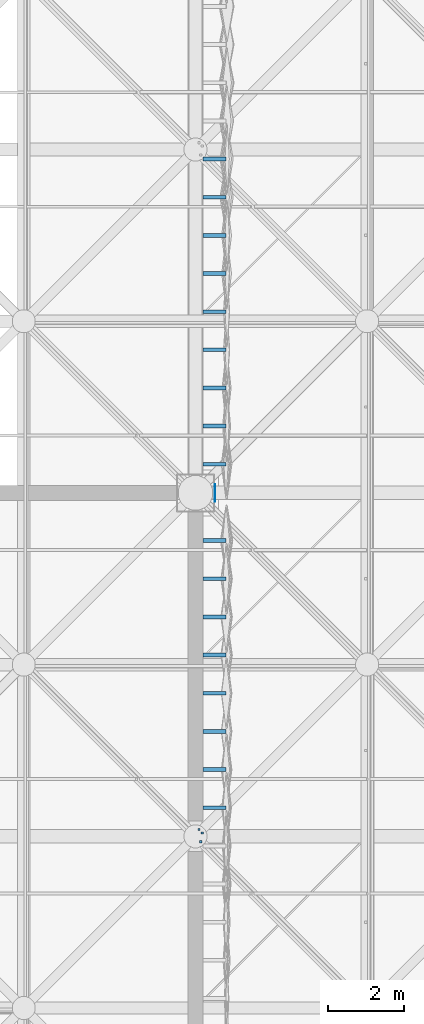
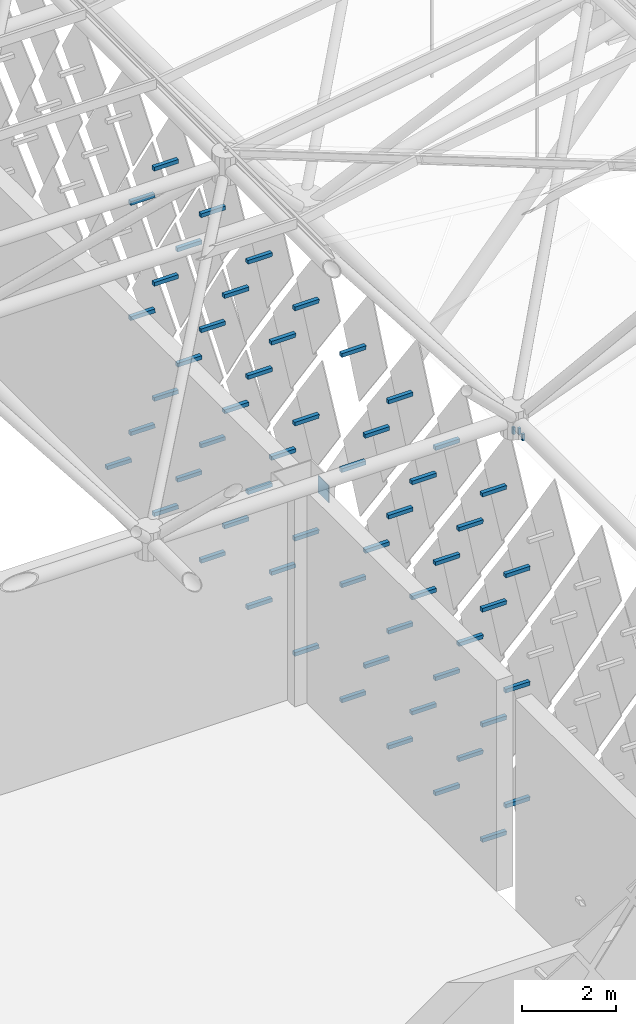
# One storey, part 374 of 437: 61 discrete accessories.
"""IFC4 building model written with IfcOpenShell, lengths in metres."""

from ifc_helpers import new_model, si_unit, direction, frame, origin, place, context, subcontext, project, spatial, polyline, outline, extrude, material, layer, layer_set, type_object, element, save


model = new_model("IFC4")

# Units and contexts
model_context = context("Model", 3, precision=1e-05, world=origin(), true_north=direction((0.0, 1.0)))
body_context = subcontext(model_context, "Body", "Model", "MODEL_VIEW")
ifc_project = project(units=[si_unit("LENGTHUNIT", "METRE"), si_unit("AREAUNIT", "SQUARE_METRE"), si_unit("VOLUMEUNIT", "CUBIC_METRE"), si_unit("PLANEANGLEUNIT", "RADIAN"), si_unit("MASSUNIT", "GRAM", prefix="KILO")], contexts=[model_context])

# Site, building, storey
site_placement = place(None, origin())
site = spatial("IfcSite", under=ifc_project, at=site_placement, CompositionType="ELEMENT")
building_placement = place(site_placement, origin())
building = spatial("IfcBuilding", under=site, at=building_placement, Name="Opaline Strait Convention Centre", CompositionType="ELEMENT")
storey_placement = place(building_placement, frame((0.0, 0.0, 11.5)))
storey = spatial("IfcBuildingStorey", under=building, at=storey_placement, Name="L02", CompositionType="ELEMENT", Elevation=11.5)

# Discrete accessories
ifc_material_1 = material(Name="Structural steel Q355B", Category="steel")
ifc_layer = layer(ifc_material_1, 0.01611328125)
ifc_layer_set = layer_set([ifc_layer], Name="Structural steel Q355B")
discrete_accessory_type_1 = type_object("IfcDiscreteAccessoryType", Name="Prop bearing plate 450 x 450 x 16", PredefinedType="ANCHORPLATE", material=ifc_layer_set)
discrete_accessory_1_placement = place(storey_placement, frame((0.0, 0.0, 4.793701171875)))
element("IfcDiscreteAccessory", 1, at=discrete_accessory_1_placement, inside=storey, type_object=discrete_accessory_type_1, Name="Prop bearing plate 261/72 E", PredefinedType="ANCHORPLATE", context=body_context, shape_type="SweptSolid", body=[
    extrude(outline(polyline([(261.5, 71.77490234375), (261.51611328125, 71.77490234375), (261.51611328125, 72.22509765625), (261.5, 72.22509765625), (261.5, 71.77490234375)])), origin(), (0.0, 0.0, 1.0), 0.449951171875),
])
ifc_material_2 = material(Name="Steel Q355B", Category="steel")
discrete_accessory_type_2 = type_object("IfcDiscreteAccessoryType", Name="Soffit hanger 60x60 steel", PredefinedType="BRACKET", material=ifc_material_2)
discrete_accessory_2_placement = place(storey_placement, frame((0.0, 0.0, 11.967529296875)))
element("IfcDiscreteAccessory", 2, at=discrete_accessory_2_placement, inside=storey, type_object=discrete_accessory_type_2, Name="Soffit hanger", PredefinedType="BRACKET", context=body_context, shape_type="SweptSolid", body=[
    extrude(outline(polyline([(261.111328125, 62.82861328125), (261.17138671875, 62.82861328125), (261.17138671875, 62.888671875), (261.111328125, 62.888671875), (261.111328125, 62.82861328125)])), origin(), (0.0, 0.0, 1.0), 0.17236328125),
])
discrete_accessory_3_placement = place(storey_placement, frame((0.0, 0.0, 11.977294921875)))
element("IfcDiscreteAccessory", 3, at=discrete_accessory_3_placement, inside=storey, type_object=discrete_accessory_type_2, Name="Soffit hanger", PredefinedType="BRACKET", context=body_context, shape_type="SweptSolid", body=[
    extrude(outline(polyline([(261.14892578125, 63.059326171875), (261.208984375, 63.059326171875), (261.208984375, 63.119140625), (261.14892578125, 63.119140625), (261.14892578125, 63.059326171875)])), origin(), (0.0, 0.0, 1.0), 0.16259765625),
])
discrete_accessory_4_placement = place(storey_placement, frame((0.0, 0.0, 11.95849609375)))
element("IfcDiscreteAccessory", 4, at=discrete_accessory_4_placement, inside=storey, type_object=discrete_accessory_type_2, Name="Soffit hanger", PredefinedType="BRACKET", context=body_context, shape_type="SweptSolid", body=[
    extrude(outline(polyline([(261.059326171875, 63.14892578125), (261.119140625, 63.14892578125), (261.119140625, 63.208984375), (261.059326171875, 63.208984375), (261.059326171875, 63.14892578125)])), origin(), (0.0, 0.0, 1.0), 0.181396484375),
])
discrete_accessory_type_3 = type_object("IfcDiscreteAccessoryType", Name="Tile bracket 100x100 steel", PredefinedType="BRACKET", material=ifc_material_2)
discrete_accessory_5_placement = place(storey_placement, frame((261.199951171875, 64.699951171875, 0.39208984375), z_axis=(0.0, 1.0, 0.0), x_axis=(-1.0, 0.0, 0.0)))
element("IfcDiscreteAccessory", 5, at=discrete_accessory_5_placement, inside=storey, type_object=discrete_accessory_type_3, Name="Tile bracket XT09 E", PredefinedType="BRACKET", context=body_context, shape_type="SweptSolid", body=[
    extrude(outline(polyline([(0.0, -0.050048828125), (0.0, 0.050048828125), (-0.60400390625, 0.050048828125), (-0.595947265625, -0.050048828125), (0.0, -0.050048828125)])), origin(), (0.0, 0.0, 1.0), 0.10009765625),
])
discrete_accessory_6_placement = place(storey_placement, frame((261.199951171875, 66.699951171875, 0.39208984375), z_axis=(0.0, 1.0, 0.0), x_axis=(-1.0, 0.0, 0.0)))
element("IfcDiscreteAccessory", 6, at=discrete_accessory_6_placement, inside=storey, type_object=discrete_accessory_type_3, Name="Tile bracket XT08 E", PredefinedType="BRACKET", context=body_context, shape_type="SweptSolid", body=[
    extrude(outline(polyline([(0.0, -0.050048828125), (0.0, 0.050048828125), (-0.603515625, 0.050048828125), (-0.596435546875, -0.050048828125), (0.0, -0.050048828125)])), origin(), (0.0, 0.0, 1.0), 0.10009765625),
])
discrete_accessory_7_placement = place(storey_placement, frame((261.199951171875, 68.699951171875, 0.39208984375), z_axis=(0.0, 1.0, 0.0), x_axis=(-1.0, 0.0, 0.0)))
element("IfcDiscreteAccessory", 7, at=discrete_accessory_7_placement, inside=storey, type_object=discrete_accessory_type_3, Name="Tile bracket XT06 E", PredefinedType="BRACKET", context=body_context, shape_type="SweptSolid", body=[
    extrude(outline(polyline([(0.0, -0.050048828125), (0.0, 0.050048828125), (-0.6025390625, 0.050048828125), (-0.597412109375, -0.050048828125), (0.0, -0.050048828125)])), origin(), (0.0, 0.0, 1.0), 0.10009765625),
])
discrete_accessory_8_placement = place(storey_placement, frame((261.199951171875, 70.699951171875, 0.39208984375), z_axis=(0.0, 1.0, 0.0), x_axis=(-1.0, 0.0, 0.0)))
element("IfcDiscreteAccessory", 8, at=discrete_accessory_8_placement, inside=storey, type_object=discrete_accessory_type_3, Name="Tile bracket XT04 E", PredefinedType="BRACKET", context=body_context, shape_type="SweptSolid", body=[
    extrude(outline(polyline([(0.0, -0.050048828125), (0.0, 0.050048828125), (-0.601806640625, 0.050048828125), (-0.59814453125, -0.050048828125), (0.0, -0.050048828125)])), origin(), (0.0, 0.0, 1.0), 0.10009765625),
])
discrete_accessory_9_placement = place(storey_placement, frame((261.199951171875, 72.699951171875, 0.39208984375), z_axis=(0.0, 1.0, 0.0), x_axis=(-1.0, 0.0, 0.0)))
element("IfcDiscreteAccessory", 9, at=discrete_accessory_9_placement, inside=storey, type_object=discrete_accessory_type_3, Name="Tile bracket XT04 E", PredefinedType="BRACKET", context=body_context, shape_type="SweptSolid", body=[
    extrude(outline(polyline([(0.0, -0.050048828125), (0.0, 0.050048828125), (-0.59814453125, 0.050048828125), (-0.601806640625, -0.050048828125), (0.0, -0.050048828125)])), origin(), (0.0, 0.0, 1.0), 0.10009765625),
])
discrete_accessory_10_placement = place(storey_placement, frame((261.199951171875, 74.699951171875, 0.39208984375), z_axis=(0.0, 1.0, 0.0), x_axis=(-1.0, 0.0, 0.0)))
element("IfcDiscreteAccessory", 10, at=discrete_accessory_10_placement, inside=storey, type_object=discrete_accessory_type_3, Name="Tile bracket XT06 E", PredefinedType="BRACKET", context=body_context, shape_type="SweptSolid", body=[
    extrude(outline(polyline([(0.0, -0.050048828125), (0.0, 0.050048828125), (-0.597412109375, 0.050048828125), (-0.6025390625, -0.050048828125), (0.0, -0.050048828125)])), origin(), (0.0, 0.0, 1.0), 0.10009765625),
])
discrete_accessory_11_placement = place(storey_placement, frame((261.199951171875, 76.699951171875, 0.39208984375), z_axis=(0.0, 1.0, 0.0), x_axis=(-1.0, 0.0, 0.0)))
element("IfcDiscreteAccessory", 11, at=discrete_accessory_11_placement, inside=storey, type_object=discrete_accessory_type_3, Name="Tile bracket XT10 E", PredefinedType="BRACKET", context=body_context, shape_type="SweptSolid", body=[
    extrude(outline(polyline([(0.0, -0.050048828125), (0.0, 0.050048828125), (-0.595703125, 0.050048828125), (-0.604248046875, -0.050048828125), (0.0, -0.050048828125)])), origin(), (0.0, 0.0, 1.0), 0.10009765625),
])
discrete_accessory_12_placement = place(storey_placement, frame((261.199951171875, 78.699951171875, 0.39208984375), z_axis=(0.0, 1.0, 0.0), x_axis=(-1.0, 0.0, 0.0)))
element("IfcDiscreteAccessory", 12, at=discrete_accessory_12_placement, inside=storey, type_object=discrete_accessory_type_3, Name="Tile bracket XT13 E", PredefinedType="BRACKET", context=body_context, shape_type="SweptSolid", body=[
    extrude(outline(polyline([(0.0, -0.050048828125), (0.0, 0.050048828125), (-0.59423828125, 0.050048828125), (-0.605712890625, -0.050048828125), (0.0, -0.050048828125)])), origin(), (0.0, 0.0, 1.0), 0.10009765625),
])
discrete_accessory_13_placement = place(storey_placement, frame((261.199951171875, 80.699951171875, 0.39208984375), z_axis=(0.0, 1.0, 0.0), x_axis=(-1.0, 0.0, 0.0)))
element("IfcDiscreteAccessory", 13, at=discrete_accessory_13_placement, inside=storey, type_object=discrete_accessory_type_3, Name="Tile bracket XT14 E", PredefinedType="BRACKET", context=body_context, shape_type="SweptSolid", body=[
    extrude(outline(polyline([(0.0, -0.050048828125), (0.0, 0.050048828125), (-0.59375, 0.050048828125), (-0.606201171875, -0.050048828125), (0.0, -0.050048828125)])), origin(), (0.0, 0.0, 1.0), 0.10009765625),
])
discrete_accessory_14_placement = place(storey_placement, frame((261.199951171875, 63.699951171875, 1.89208984375), z_axis=(0.0, 1.0, 0.0), x_axis=(-1.0, 0.0, 0.0)))
element("IfcDiscreteAccessory", 14, at=discrete_accessory_14_placement, inside=storey, type_object=discrete_accessory_type_3, Name="Tile bracket XT09 E", PredefinedType="BRACKET", context=body_context, shape_type="SweptSolid", body=[
    extrude(outline(polyline([(0.0, -0.050048828125), (0.0, 0.050048828125), (-0.60400390625, 0.050048828125), (-0.595947265625, -0.050048828125), (0.0, -0.050048828125)])), origin(), (0.0, 0.0, 1.0), 0.10009765625),
])
discrete_accessory_15_placement = place(storey_placement, frame((261.199951171875, 65.699951171875, 1.89208984375), z_axis=(0.0, 1.0, 0.0), x_axis=(-1.0, 0.0, 0.0)))
element("IfcDiscreteAccessory", 15, at=discrete_accessory_15_placement, inside=storey, type_object=discrete_accessory_type_3, Name="Tile bracket XT10 E", PredefinedType="BRACKET", context=body_context, shape_type="SweptSolid", body=[
    extrude(outline(polyline([(0.0, -0.050048828125), (0.0, 0.050048828125), (-0.604248046875, 0.050048828125), (-0.595703125, -0.050048828125), (0.0, -0.050048828125)])), origin(), (0.0, 0.0, 1.0), 0.10009765625),
])
discrete_accessory_16_placement = place(storey_placement, frame((261.199951171875, 67.699951171875, 1.89208984375), z_axis=(0.0, 1.0, 0.0), x_axis=(-1.0, 0.0, 0.0)))
element("IfcDiscreteAccessory", 16, at=discrete_accessory_16_placement, inside=storey, type_object=discrete_accessory_type_3, Name="Tile bracket XT09 E", PredefinedType="BRACKET", context=body_context, shape_type="SweptSolid", body=[
    extrude(outline(polyline([(0.0, -0.050048828125), (0.0, 0.050048828125), (-0.60400390625, 0.050048828125), (-0.595947265625, -0.050048828125), (0.0, -0.050048828125)])), origin(), (0.0, 0.0, 1.0), 0.10009765625),
])
discrete_accessory_17_placement = place(storey_placement, frame((261.199951171875, 69.699951171875, 1.89208984375), z_axis=(0.0, 1.0, 0.0), x_axis=(-1.0, 0.0, 0.0)))
element("IfcDiscreteAccessory", 17, at=discrete_accessory_17_placement, inside=storey, type_object=discrete_accessory_type_3, Name="Tile bracket XT06 E", PredefinedType="BRACKET", context=body_context, shape_type="SweptSolid", body=[
    extrude(outline(polyline([(0.0, -0.050048828125), (0.0, 0.050048828125), (-0.6025390625, 0.050048828125), (-0.597412109375, -0.050048828125), (0.0, -0.050048828125)])), origin(), (0.0, 0.0, 1.0), 0.10009765625),
])
discrete_accessory_18_placement = place(storey_placement, frame((261.199951171875, 73.699951171875, 1.89208984375), z_axis=(0.0, 1.0, 0.0), x_axis=(-1.0, 0.0, 0.0)))
element("IfcDiscreteAccessory", 18, at=discrete_accessory_18_placement, inside=storey, type_object=discrete_accessory_type_3, Name="Tile bracket XT04 E", PredefinedType="BRACKET", context=body_context, shape_type="SweptSolid", body=[
    extrude(outline(polyline([(0.0, -0.050048828125), (0.0, 0.050048828125), (-0.59814453125, 0.050048828125), (-0.601806640625, -0.050048828125), (0.0, -0.050048828125)])), origin(), (0.0, 0.0, 1.0), 0.10009765625),
])
discrete_accessory_19_placement = place(storey_placement, frame((261.199951171875, 75.699951171875, 1.89208984375), z_axis=(0.0, 1.0, 0.0), x_axis=(-1.0, 0.0, 0.0)))
element("IfcDiscreteAccessory", 19, at=discrete_accessory_19_placement, inside=storey, type_object=discrete_accessory_type_3, Name="Tile bracket XT06 E", PredefinedType="BRACKET", context=body_context, shape_type="SweptSolid", body=[
    extrude(outline(polyline([(0.0, -0.050048828125), (0.0, 0.050048828125), (-0.597412109375, 0.050048828125), (-0.6025390625, -0.050048828125), (0.0, -0.050048828125)])), origin(), (0.0, 0.0, 1.0), 0.10009765625),
])
discrete_accessory_20_placement = place(storey_placement, frame((261.199951171875, 77.699951171875, 1.89208984375), z_axis=(0.0, 1.0, 0.0), x_axis=(-1.0, 0.0, 0.0)))
element("IfcDiscreteAccessory", 20, at=discrete_accessory_20_placement, inside=storey, type_object=discrete_accessory_type_3, Name="Tile bracket XT10 E", PredefinedType="BRACKET", context=body_context, shape_type="SweptSolid", body=[
    extrude(outline(polyline([(0.0, -0.050048828125), (0.0, 0.050048828125), (-0.595703125, 0.050048828125), (-0.604248046875, -0.050048828125), (0.0, -0.050048828125)])), origin(), (0.0, 0.0, 1.0), 0.10009765625),
])
discrete_accessory_21_placement = place(storey_placement, frame((261.199951171875, 79.699951171875, 1.89208984375), z_axis=(0.0, 1.0, 0.0), x_axis=(-1.0, 0.0, 0.0)))
element("IfcDiscreteAccessory", 21, at=discrete_accessory_21_placement, inside=storey, type_object=discrete_accessory_type_3, Name="Tile bracket XT13 E", PredefinedType="BRACKET", context=body_context, shape_type="SweptSolid", body=[
    extrude(outline(polyline([(0.0, -0.050048828125), (0.0, 0.050048828125), (-0.59423828125, 0.050048828125), (-0.605712890625, -0.050048828125), (0.0, -0.050048828125)])), origin(), (0.0, 0.0, 1.0), 0.10009765625),
])
for number, where, z_axis, x_axis, name in (
    (22, (261.199951171875, 64.699951171875, 3.39208984375), (0.0, 1.0, 0.0), (-1.0, 0.0, 0.0), "Tile bracket XT10 E"),
    (23, (261.199951171875, 66.699951171875, 3.39208984375), (0.0, 1.0, 0.0), (-1.0, 0.0, 0.0), "Tile bracket XT10 E"),
):
    element("IfcDiscreteAccessory", number, at=place(storey_placement, frame(where, z_axis=z_axis, x_axis=x_axis)), inside=storey, type_object=discrete_accessory_type_3, Name=name, PredefinedType="BRACKET", context=body_context, shape_type="SweptSolid", body=[
        extrude(outline(polyline([(0.0, -0.050048828125), (0.0, 0.050048828125), (-0.604248046875, 0.050048828125), (-0.595703125, -0.050048828125), (0.0, -0.050048828125)])), origin(), (0.0, 0.0, 1.0), 0.10009765625),
    ])
discrete_accessory_22_placement = place(storey_placement, frame((261.199951171875, 68.699951171875, 3.39208984375), z_axis=(0.0, 1.0, 0.0), x_axis=(-1.0, 0.0, 0.0)))
element("IfcDiscreteAccessory", 24, at=discrete_accessory_22_placement, inside=storey, type_object=discrete_accessory_type_3, Name="Tile bracket XT09 E", PredefinedType="BRACKET", context=body_context, shape_type="SweptSolid", body=[
    extrude(outline(polyline([(0.0, -0.050048828125), (0.0, 0.050048828125), (-0.60400390625, 0.050048828125), (-0.595947265625, -0.050048828125), (0.0, -0.050048828125)])), origin(), (0.0, 0.0, 1.0), 0.10009765625),
])
discrete_accessory_23_placement = place(storey_placement, frame((261.199951171875, 70.699951171875, 3.39208984375), z_axis=(0.0, 1.0, 0.0), x_axis=(-1.0, 0.0, 0.0)))
element("IfcDiscreteAccessory", 25, at=discrete_accessory_23_placement, inside=storey, type_object=discrete_accessory_type_3, Name="Tile bracket XT07 E", PredefinedType="BRACKET", context=body_context, shape_type="SweptSolid", body=[
    extrude(outline(polyline([(0.0, -0.050048828125), (0.0, 0.050048828125), (-0.60302734375, 0.050048828125), (-0.596923828125, -0.050048828125), (0.0, -0.050048828125)])), origin(), (0.0, 0.0, 1.0), 0.10009765625),
])
discrete_accessory_24_placement = place(storey_placement, frame((261.199951171875, 72.699951171875, 3.39208984375), z_axis=(0.0, 1.0, 0.0), x_axis=(-1.0, 0.0, 0.0)))
element("IfcDiscreteAccessory", 26, at=discrete_accessory_24_placement, inside=storey, type_object=discrete_accessory_type_3, Name="Tile bracket XT04 E", PredefinedType="BRACKET", context=body_context, shape_type="SweptSolid", body=[
    extrude(outline(polyline([(0.0, -0.050048828125), (0.0, 0.050048828125), (-0.601806640625, 0.050048828125), (-0.59814453125, -0.050048828125), (0.0, -0.050048828125)])), origin(), (0.0, 0.0, 1.0), 0.10009765625),
])
discrete_accessory_25_placement = place(storey_placement, frame((261.199951171875, 74.699951171875, 3.39208984375), z_axis=(0.0, 1.0, 0.0), x_axis=(-1.0, 0.0, 0.0)))
element("IfcDiscreteAccessory", 27, at=discrete_accessory_25_placement, inside=storey, type_object=discrete_accessory_type_3, Name="Tile bracket XT05 E", PredefinedType="BRACKET", context=body_context, shape_type="SweptSolid", body=[
    extrude(outline(polyline([(0.0, -0.050048828125), (0.0, 0.050048828125), (-0.597900390625, 0.050048828125), (-0.602294921875, -0.050048828125), (0.0, -0.050048828125)])), origin(), (0.0, 0.0, 1.0), 0.10009765625),
])
discrete_accessory_26_placement = place(storey_placement, frame((261.199951171875, 76.699951171875, 3.39208984375), z_axis=(0.0, 1.0, 0.0), x_axis=(-1.0, 0.0, 0.0)))
element("IfcDiscreteAccessory", 28, at=discrete_accessory_26_placement, inside=storey, type_object=discrete_accessory_type_3, Name="Tile bracket XT06 E", PredefinedType="BRACKET", context=body_context, shape_type="SweptSolid", body=[
    extrude(outline(polyline([(0.0, -0.050048828125), (0.0, 0.050048828125), (-0.597412109375, 0.050048828125), (-0.6025390625, -0.050048828125), (0.0, -0.050048828125)])), origin(), (0.0, 0.0, 1.0), 0.10009765625),
])
discrete_accessory_27_placement = place(storey_placement, frame((261.199951171875, 78.699951171875, 3.39208984375), z_axis=(0.0, 1.0, 0.0), x_axis=(-1.0, 0.0, 0.0)))
element("IfcDiscreteAccessory", 29, at=discrete_accessory_27_placement, inside=storey, type_object=discrete_accessory_type_3, Name="Tile bracket XT10 E", PredefinedType="BRACKET", context=body_context, shape_type="SweptSolid", body=[
    extrude(outline(polyline([(0.0, -0.050048828125), (0.0, 0.050048828125), (-0.595703125, 0.050048828125), (-0.604248046875, -0.050048828125), (0.0, -0.050048828125)])), origin(), (0.0, 0.0, 1.0), 0.10009765625),
])
discrete_accessory_28_placement = place(storey_placement, frame((261.199951171875, 63.699951171875, 4.89208984375), z_axis=(0.0, 1.0, 0.0), x_axis=(-1.0, 0.0, 0.0)))
element("IfcDiscreteAccessory", 30, at=discrete_accessory_28_placement, inside=storey, type_object=discrete_accessory_type_3, Name="Tile bracket XT08 E", PredefinedType="BRACKET", context=body_context, shape_type="SweptSolid", body=[
    extrude(outline(polyline([(0.0, -0.050048828125), (0.0, 0.050048828125), (-0.603515625, 0.050048828125), (-0.596435546875, -0.050048828125), (0.0, -0.050048828125)])), origin(), (0.0, 0.0, 1.0), 0.10009765625),
])
discrete_accessory_29_placement = place(storey_placement, frame((261.199951171875, 65.699951171875, 4.89208984375), z_axis=(0.0, 1.0, 0.0), x_axis=(-1.0, 0.0, 0.0)))
element("IfcDiscreteAccessory", 31, at=discrete_accessory_29_placement, inside=storey, type_object=discrete_accessory_type_3, Name="Tile bracket XT10 E", PredefinedType="BRACKET", context=body_context, shape_type="SweptSolid", body=[
    extrude(outline(polyline([(0.0, -0.050048828125), (0.0, 0.050048828125), (-0.604248046875, 0.050048828125), (-0.595703125, -0.050048828125), (0.0, -0.050048828125)])), origin(), (0.0, 0.0, 1.0), 0.10009765625),
])
discrete_accessory_30_placement = place(storey_placement, frame((261.199951171875, 67.699951171875, 4.89208984375), z_axis=(0.0, 1.0, 0.0), x_axis=(-1.0, 0.0, 0.0)))
element("IfcDiscreteAccessory", 32, at=discrete_accessory_30_placement, inside=storey, type_object=discrete_accessory_type_3, Name="Tile bracket XT11 E", PredefinedType="BRACKET", context=body_context, shape_type="SweptSolid", body=[
    extrude(outline(polyline([(0.0, -0.050048828125), (0.0, 0.050048828125), (-0.604736328125, 0.050048828125), (-0.59521484375, -0.050048828125), (0.0, -0.050048828125)])), origin(), (0.0, 0.0, 1.0), 0.10009765625),
])
discrete_accessory_31_placement = place(storey_placement, frame((261.199951171875, 69.699951171875, 4.89208984375), z_axis=(0.0, 1.0, 0.0), x_axis=(-1.0, 0.0, 0.0)))
element("IfcDiscreteAccessory", 33, at=discrete_accessory_31_placement, inside=storey, type_object=discrete_accessory_type_3, Name="Tile bracket XT09 E", PredefinedType="BRACKET", context=body_context, shape_type="SweptSolid", body=[
    extrude(outline(polyline([(0.0, -0.050048828125), (0.0, 0.050048828125), (-0.60400390625, 0.050048828125), (-0.595947265625, -0.050048828125), (0.0, -0.050048828125)])), origin(), (0.0, 0.0, 1.0), 0.10009765625),
])
discrete_accessory_32_placement = place(storey_placement, frame((261.199951171875, 73.699951171875, 4.89208984375), z_axis=(0.0, 1.0, 0.0), x_axis=(-1.0, 0.0, 0.0)))
element("IfcDiscreteAccessory", 34, at=discrete_accessory_32_placement, inside=storey, type_object=discrete_accessory_type_3, Name="Tile bracket XT04 E", PredefinedType="BRACKET", context=body_context, shape_type="SweptSolid", body=[
    extrude(outline(polyline([(0.0, -0.050048828125), (0.0, 0.050048828125), (-0.601806640625, 0.050048828125), (-0.59814453125, -0.050048828125), (0.0, -0.050048828125)])), origin(), (0.0, 0.0, 1.0), 0.10009765625),
])
discrete_accessory_33_placement = place(storey_placement, frame((261.199951171875, 75.699951171875, 4.89208984375), z_axis=(0.0, 1.0, 0.0), x_axis=(-1.0, 0.0, 0.0)))
element("IfcDiscreteAccessory", 35, at=discrete_accessory_33_placement, inside=storey, type_object=discrete_accessory_type_3, Name="Tile bracket XT05 E", PredefinedType="BRACKET", context=body_context, shape_type="SweptSolid", body=[
    extrude(outline(polyline([(0.0, -0.050048828125), (0.0, 0.050048828125), (-0.597900390625, 0.050048828125), (-0.602294921875, -0.050048828125), (0.0, -0.050048828125)])), origin(), (0.0, 0.0, 1.0), 0.10009765625),
])
discrete_accessory_34_placement = place(storey_placement, frame((261.199951171875, 77.699951171875, 4.89208984375), z_axis=(0.0, 1.0, 0.0), x_axis=(-1.0, 0.0, 0.0)))
element("IfcDiscreteAccessory", 36, at=discrete_accessory_34_placement, inside=storey, type_object=discrete_accessory_type_3, Name="Tile bracket XT06 E", PredefinedType="BRACKET", context=body_context, shape_type="SweptSolid", body=[
    extrude(outline(polyline([(0.0, -0.050048828125), (0.0, 0.050048828125), (-0.597412109375, 0.050048828125), (-0.6025390625, -0.050048828125), (0.0, -0.050048828125)])), origin(), (0.0, 0.0, 1.0), 0.10009765625),
])
discrete_accessory_35_placement = place(storey_placement, frame((261.199951171875, 79.699951171875, 4.89208984375), z_axis=(0.0, 1.0, 0.0), x_axis=(-1.0, 0.0, 0.0)))
element("IfcDiscreteAccessory", 37, at=discrete_accessory_35_placement, inside=storey, type_object=discrete_accessory_type_3, Name="Tile bracket XT10 E", PredefinedType="BRACKET", context=body_context, shape_type="SweptSolid", body=[
    extrude(outline(polyline([(0.0, -0.050048828125), (0.0, 0.050048828125), (-0.595703125, 0.050048828125), (-0.604248046875, -0.050048828125), (0.0, -0.050048828125)])), origin(), (0.0, 0.0, 1.0), 0.10009765625),
])
discrete_accessory_36_placement = place(storey_placement, frame((261.199951171875, 64.699951171875, 6.39208984375), z_axis=(0.0, 1.0, 0.0), x_axis=(-1.0, 0.0, 0.0)))
element("IfcDiscreteAccessory", 38, at=discrete_accessory_36_placement, inside=storey, type_object=discrete_accessory_type_3, Name="Tile bracket XT09 E", PredefinedType="BRACKET", context=body_context, shape_type="SweptSolid", body=[
    extrude(outline(polyline([(0.0, -0.050048828125), (0.0, 0.050048828125), (-0.60400390625, 0.050048828125), (-0.595947265625, -0.050048828125), (0.0, -0.050048828125)])), origin(), (0.0, 0.0, 1.0), 0.10009765625),
])
discrete_accessory_37_placement = place(storey_placement, frame((261.199951171875, 66.699951171875, 6.39208984375), z_axis=(0.0, 1.0, 0.0), x_axis=(-1.0, 0.0, 0.0)))
element("IfcDiscreteAccessory", 39, at=discrete_accessory_37_placement, inside=storey, type_object=discrete_accessory_type_3, Name="Tile bracket XT10 E", PredefinedType="BRACKET", context=body_context, shape_type="SweptSolid", body=[
    extrude(outline(polyline([(0.0, -0.050048828125), (0.0, 0.050048828125), (-0.604248046875, 0.050048828125), (-0.595703125, -0.050048828125), (0.0, -0.050048828125)])), origin(), (0.0, 0.0, 1.0), 0.10009765625),
])
discrete_accessory_38_placement = place(storey_placement, frame((261.199951171875, 68.699951171875, 6.39208984375), z_axis=(0.0, 1.0, 0.0), x_axis=(-1.0, 0.0, 0.0)))
element("IfcDiscreteAccessory", 40, at=discrete_accessory_38_placement, inside=storey, type_object=discrete_accessory_type_3, Name="Tile bracket XT11 E", PredefinedType="BRACKET", context=body_context, shape_type="SweptSolid", body=[
    extrude(outline(polyline([(0.0, -0.050048828125), (0.0, 0.050048828125), (-0.604736328125, 0.050048828125), (-0.59521484375, -0.050048828125), (0.0, -0.050048828125)])), origin(), (0.0, 0.0, 1.0), 0.10009765625),
])
discrete_accessory_39_placement = place(storey_placement, frame((261.199951171875, 70.699951171875, 6.39208984375), z_axis=(0.0, 1.0, 0.0), x_axis=(-1.0, 0.0, 0.0)))
element("IfcDiscreteAccessory", 41, at=discrete_accessory_39_placement, inside=storey, type_object=discrete_accessory_type_3, Name="Tile bracket XT10 E", PredefinedType="BRACKET", context=body_context, shape_type="SweptSolid", body=[
    extrude(outline(polyline([(0.0, -0.050048828125), (0.0, 0.050048828125), (-0.604248046875, 0.050048828125), (-0.595703125, -0.050048828125), (0.0, -0.050048828125)])), origin(), (0.0, 0.0, 1.0), 0.10009765625),
])
discrete_accessory_40_placement = place(storey_placement, frame((261.199951171875, 72.699951171875, 6.39208984375), z_axis=(0.0, 1.0, 0.0), x_axis=(-1.0, 0.0, 0.0)))
element("IfcDiscreteAccessory", 42, at=discrete_accessory_40_placement, inside=storey, type_object=discrete_accessory_type_3, Name="Tile bracket XT07 E", PredefinedType="BRACKET", context=body_context, shape_type="SweptSolid", body=[
    extrude(outline(polyline([(0.0, -0.050048828125), (0.0, 0.050048828125), (-0.60302734375, 0.050048828125), (-0.596923828125, -0.050048828125), (0.0, -0.050048828125)])), origin(), (0.0, 0.0, 1.0), 0.10009765625),
])
discrete_accessory_41_placement = place(storey_placement, frame((261.199951171875, 74.699951171875, 6.39208984375), z_axis=(0.0, 1.0, 0.0), x_axis=(-1.0, 0.0, 0.0)))
element("IfcDiscreteAccessory", 43, at=discrete_accessory_41_placement, inside=storey, type_object=discrete_accessory_type_3, Name="Tile bracket XT05 E", PredefinedType="BRACKET", context=body_context, shape_type="SweptSolid", body=[
    extrude(outline(polyline([(0.0, -0.050048828125), (0.0, 0.050048828125), (-0.602294921875, 0.050048828125), (-0.597900390625, -0.050048828125), (0.0, -0.050048828125)])), origin(), (0.0, 0.0, 1.0), 0.10009765625),
])
discrete_accessory_42_placement = place(storey_placement, frame((261.199951171875, 76.699951171875, 6.39208984375), z_axis=(0.0, 1.0, 0.0), x_axis=(-1.0, 0.0, 0.0)))
element("IfcDiscreteAccessory", 44, at=discrete_accessory_42_placement, inside=storey, type_object=discrete_accessory_type_3, Name="Tile bracket XT05 E", PredefinedType="BRACKET", context=body_context, shape_type="SweptSolid", body=[
    extrude(outline(polyline([(0.0, -0.050048828125), (0.0, 0.050048828125), (-0.597900390625, 0.050048828125), (-0.602294921875, -0.050048828125), (0.0, -0.050048828125)])), origin(), (0.0, 0.0, 1.0), 0.10009765625),
])
discrete_accessory_43_placement = place(storey_placement, frame((261.199951171875, 78.699951171875, 6.39208984375), z_axis=(0.0, 1.0, 0.0), x_axis=(-1.0, 0.0, 0.0)))
element("IfcDiscreteAccessory", 45, at=discrete_accessory_43_placement, inside=storey, type_object=discrete_accessory_type_3, Name="Tile bracket XT06 E", PredefinedType="BRACKET", context=body_context, shape_type="SweptSolid", body=[
    extrude(outline(polyline([(0.0, -0.050048828125), (0.0, 0.050048828125), (-0.597412109375, 0.050048828125), (-0.6025390625, -0.050048828125), (0.0, -0.050048828125)])), origin(), (0.0, 0.0, 1.0), 0.10009765625),
])
discrete_accessory_44_placement = place(storey_placement, frame((261.199951171875, 63.699951171875, 7.89208984375), z_axis=(0.0, 1.0, 0.0), x_axis=(-1.0, 0.0, 0.0)))
element("IfcDiscreteAccessory", 46, at=discrete_accessory_44_placement, inside=storey, type_object=discrete_accessory_type_3, Name="Tile bracket XT06 E", PredefinedType="BRACKET", context=body_context, shape_type="SweptSolid", body=[
    extrude(outline(polyline([(0.0, -0.050048828125), (0.0, 0.050048828125), (-0.6025390625, 0.050048828125), (-0.597412109375, -0.050048828125), (0.0, -0.050048828125)])), origin(), (0.0, 0.0, 1.0), 0.10009765625),
])
discrete_accessory_45_placement = place(storey_placement, frame((261.199951171875, 65.699951171875, 7.89208984375), z_axis=(0.0, 1.0, 0.0), x_axis=(-1.0, 0.0, 0.0)))
element("IfcDiscreteAccessory", 47, at=discrete_accessory_45_placement, inside=storey, type_object=discrete_accessory_type_3, Name="Tile bracket XT09 E", PredefinedType="BRACKET", context=body_context, shape_type="SweptSolid", body=[
    extrude(outline(polyline([(0.0, -0.050048828125), (0.0, 0.050048828125), (-0.60400390625, 0.050048828125), (-0.595947265625, -0.050048828125), (0.0, -0.050048828125)])), origin(), (0.0, 0.0, 1.0), 0.10009765625),
])
for number, where, z_axis, x_axis, name in (
    (48, (261.199951171875, 67.699951171875, 7.89208984375), (0.0, 1.0, 0.0), (-1.0, 0.0, 0.0), "Tile bracket XT11 E"),
    (49, (261.199951171875, 69.699951171875, 7.89208984375), (0.0, 1.0, 0.0), (-1.0, 0.0, 0.0), "Tile bracket XT11 E"),
):
    element("IfcDiscreteAccessory", number, at=place(storey_placement, frame(where, z_axis=z_axis, x_axis=x_axis)), inside=storey, type_object=discrete_accessory_type_3, Name=name, PredefinedType="BRACKET", context=body_context, shape_type="SweptSolid", body=[
        extrude(outline(polyline([(0.0, -0.050048828125), (0.0, 0.050048828125), (-0.604736328125, 0.050048828125), (-0.59521484375, -0.050048828125), (0.0, -0.050048828125)])), origin(), (0.0, 0.0, 1.0), 0.10009765625),
    ])
discrete_accessory_46_placement = place(storey_placement, frame((261.199951171875, 73.699951171875, 7.89208984375), z_axis=(0.0, 1.0, 0.0), x_axis=(-1.0, 0.0, 0.0)))
element("IfcDiscreteAccessory", 50, at=discrete_accessory_46_placement, inside=storey, type_object=discrete_accessory_type_3, Name="Tile bracket XT07 E", PredefinedType="BRACKET", context=body_context, shape_type="SweptSolid", body=[
    extrude(outline(polyline([(0.0, -0.050048828125), (0.0, 0.050048828125), (-0.60302734375, 0.050048828125), (-0.596923828125, -0.050048828125), (0.0, -0.050048828125)])), origin(), (0.0, 0.0, 1.0), 0.10009765625),
])
discrete_accessory_47_placement = place(storey_placement, frame((261.199951171875, 75.699951171875, 7.89208984375), z_axis=(0.0, 1.0, 0.0), x_axis=(-1.0, 0.0, 0.0)))
element("IfcDiscreteAccessory", 51, at=discrete_accessory_47_placement, inside=storey, type_object=discrete_accessory_type_3, Name="Tile bracket XT05 E", PredefinedType="BRACKET", context=body_context, shape_type="SweptSolid", body=[
    extrude(outline(polyline([(0.0, -0.050048828125), (0.0, 0.050048828125), (-0.602294921875, 0.050048828125), (-0.597900390625, -0.050048828125), (0.0, -0.050048828125)])), origin(), (0.0, 0.0, 1.0), 0.10009765625),
])
for number, where, z_axis, x_axis, name in (
    (52, (261.199951171875, 77.699951171875, 7.89208984375), (0.0, 1.0, 0.0), (-1.0, 0.0, 0.0), "Tile bracket XT05 E"),
    (53, (261.199951171875, 79.699951171875, 7.89208984375), (0.0, 1.0, 0.0), (-1.0, 0.0, 0.0), "Tile bracket XT05 E"),
):
    element("IfcDiscreteAccessory", number, at=place(storey_placement, frame(where, z_axis=z_axis, x_axis=x_axis)), inside=storey, type_object=discrete_accessory_type_3, Name=name, PredefinedType="BRACKET", context=body_context, shape_type="SweptSolid", body=[
        extrude(outline(polyline([(0.0, -0.050048828125), (0.0, 0.050048828125), (-0.597900390625, 0.050048828125), (-0.602294921875, -0.050048828125), (0.0, -0.050048828125)])), origin(), (0.0, 0.0, 1.0), 0.10009765625),
    ])
discrete_accessory_48_placement = place(storey_placement, frame((261.199951171875, 64.699951171875, 9.39208984375), z_axis=(0.0, 1.0, 0.0), x_axis=(-1.0, 0.0, 0.0)))
element("IfcDiscreteAccessory", 54, at=discrete_accessory_48_placement, inside=storey, type_object=discrete_accessory_type_3, Name="Tile bracket XT07 E", PredefinedType="BRACKET", context=body_context, shape_type="SweptSolid", body=[
    extrude(outline(polyline([(0.0, -0.050048828125), (0.0, 0.050048828125), (-0.60302734375, 0.050048828125), (-0.596923828125, -0.050048828125), (0.0, -0.050048828125)])), origin(), (0.0, 0.0, 1.0), 0.10009765625),
])
discrete_accessory_49_placement = place(storey_placement, frame((261.199951171875, 66.699951171875, 9.39208984375), z_axis=(0.0, 1.0, 0.0), x_axis=(-1.0, 0.0, 0.0)))
element("IfcDiscreteAccessory", 55, at=discrete_accessory_49_placement, inside=storey, type_object=discrete_accessory_type_3, Name="Tile bracket XT09 E", PredefinedType="BRACKET", context=body_context, shape_type="SweptSolid", body=[
    extrude(outline(polyline([(0.0, -0.050048828125), (0.0, 0.050048828125), (-0.60400390625, 0.050048828125), (-0.595947265625, -0.050048828125), (0.0, -0.050048828125)])), origin(), (0.0, 0.0, 1.0), 0.10009765625),
])
discrete_accessory_50_placement = place(storey_placement, frame((261.199951171875, 68.699951171875, 9.39208984375), z_axis=(0.0, 1.0, 0.0), x_axis=(-1.0, 0.0, 0.0)))
element("IfcDiscreteAccessory", 56, at=discrete_accessory_50_placement, inside=storey, type_object=discrete_accessory_type_3, Name="Tile bracket XT11 E", PredefinedType="BRACKET", context=body_context, shape_type="SweptSolid", body=[
    extrude(outline(polyline([(0.0, -0.050048828125), (0.0, 0.050048828125), (-0.604736328125, 0.050048828125), (-0.59521484375, -0.050048828125), (0.0, -0.050048828125)])), origin(), (0.0, 0.0, 1.0), 0.10009765625),
])
discrete_accessory_51_placement = place(storey_placement, frame((261.199951171875, 70.699951171875, 9.39208984375), z_axis=(0.0, 1.0, 0.0), x_axis=(-1.0, 0.0, 0.0)))
element("IfcDiscreteAccessory", 57, at=discrete_accessory_51_placement, inside=storey, type_object=discrete_accessory_type_3, Name="Tile bracket XT12 E", PredefinedType="BRACKET", context=body_context, shape_type="SweptSolid", body=[
    extrude(outline(polyline([(0.0, -0.050048828125), (0.0, 0.050048828125), (-0.605224609375, 0.050048828125), (-0.5947265625, -0.050048828125), (0.0, -0.050048828125)])), origin(), (0.0, 0.0, 1.0), 0.10009765625),
])
discrete_accessory_52_placement = place(storey_placement, frame((261.199951171875, 72.699951171875, 9.39208984375), z_axis=(0.0, 1.0, 0.0), x_axis=(-1.0, 0.0, 0.0)))
element("IfcDiscreteAccessory", 58, at=discrete_accessory_52_placement, inside=storey, type_object=discrete_accessory_type_3, Name="Tile bracket XT10 E", PredefinedType="BRACKET", context=body_context, shape_type="SweptSolid", body=[
    extrude(outline(polyline([(0.0, -0.050048828125), (0.0, 0.050048828125), (-0.604248046875, 0.050048828125), (-0.595703125, -0.050048828125), (0.0, -0.050048828125)])), origin(), (0.0, 0.0, 1.0), 0.10009765625),
])
discrete_accessory_53_placement = place(storey_placement, frame((261.199951171875, 74.699951171875, 9.39208984375), z_axis=(0.0, 1.0, 0.0), x_axis=(-1.0, 0.0, 0.0)))
element("IfcDiscreteAccessory", 59, at=discrete_accessory_53_placement, inside=storey, type_object=discrete_accessory_type_3, Name="Tile bracket XT08 E", PredefinedType="BRACKET", context=body_context, shape_type="SweptSolid", body=[
    extrude(outline(polyline([(0.0, -0.050048828125), (0.0, 0.050048828125), (-0.603515625, 0.050048828125), (-0.596435546875, -0.050048828125), (0.0, -0.050048828125)])), origin(), (0.0, 0.0, 1.0), 0.10009765625),
])
discrete_accessory_54_placement = place(storey_placement, frame((261.199951171875, 76.699951171875, 9.39208984375), z_axis=(0.0, 1.0, 0.0), x_axis=(-1.0, 0.0, 0.0)))
element("IfcDiscreteAccessory", 60, at=discrete_accessory_54_placement, inside=storey, type_object=discrete_accessory_type_3, Name="Tile bracket XT05 E", PredefinedType="BRACKET", context=body_context, shape_type="SweptSolid", body=[
    extrude(outline(polyline([(0.0, -0.050048828125), (0.0, 0.050048828125), (-0.602294921875, 0.050048828125), (-0.597900390625, -0.050048828125), (0.0, -0.050048828125)])), origin(), (0.0, 0.0, 1.0), 0.10009765625),
])
discrete_accessory_55_placement = place(storey_placement, frame((261.199951171875, 78.699951171875, 9.39208984375), z_axis=(0.0, 1.0, 0.0), x_axis=(-1.0, 0.0, 0.0)))
element("IfcDiscreteAccessory", 61, at=discrete_accessory_55_placement, inside=storey, type_object=discrete_accessory_type_3, Name="Tile bracket XT05 E", PredefinedType="BRACKET", context=body_context, shape_type="SweptSolid", body=[
    extrude(outline(polyline([(0.0, -0.050048828125), (0.0, 0.050048828125), (-0.597900390625, 0.050048828125), (-0.602294921875, -0.050048828125), (0.0, -0.050048828125)])), origin(), (0.0, 0.0, 1.0), 0.10009765625),
])

save(model, "model.ifc")
